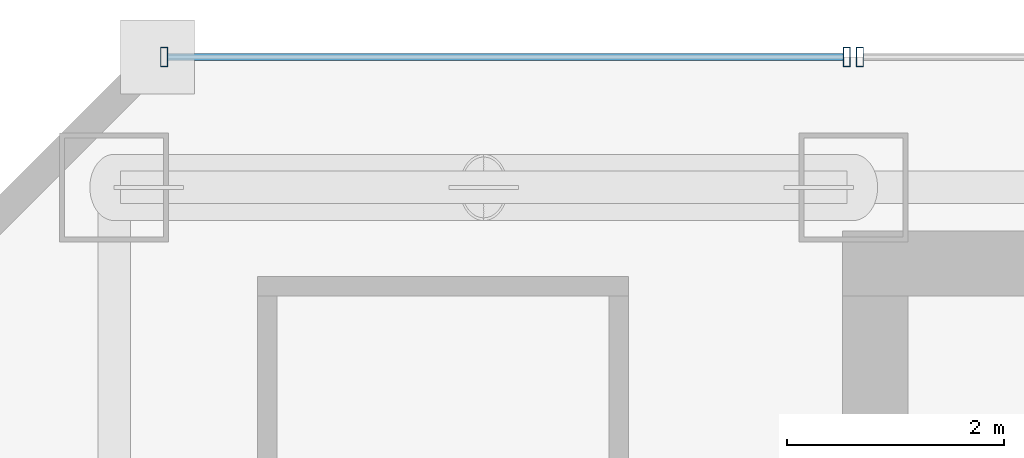
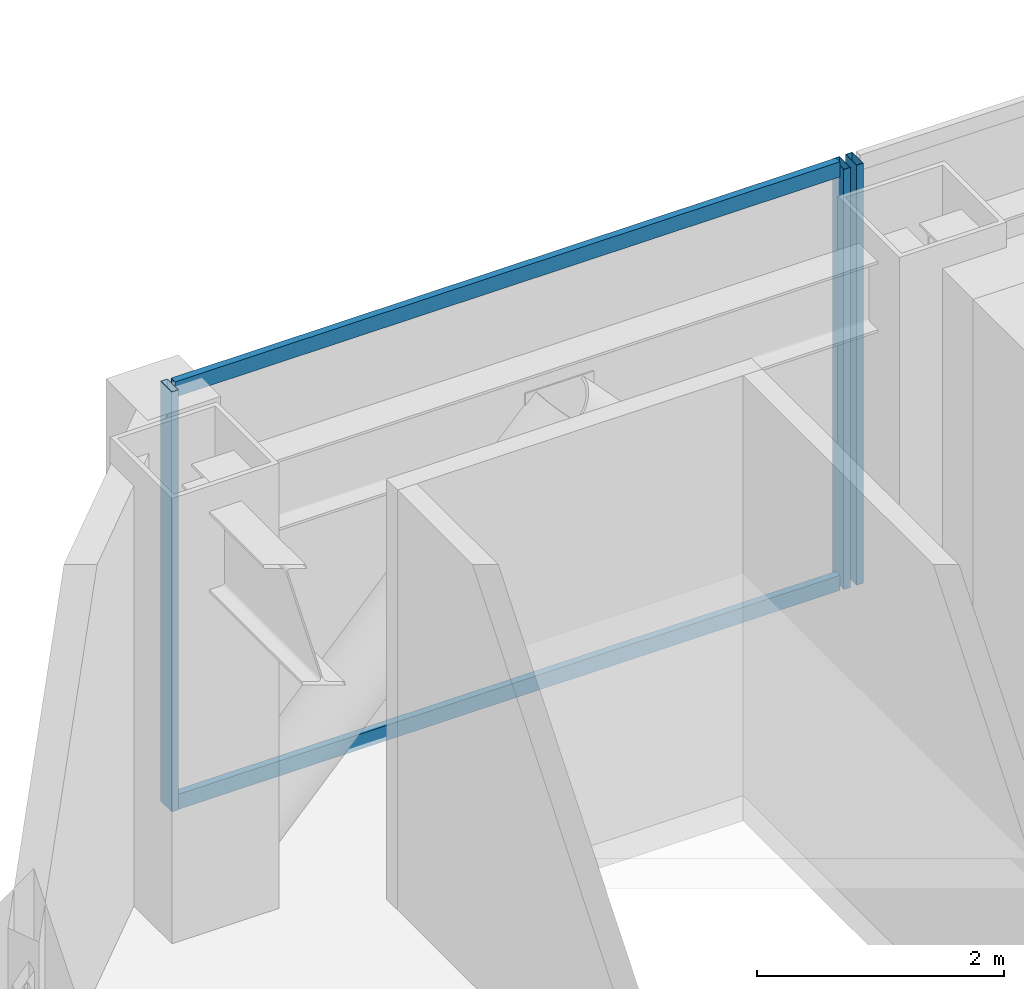
# One storey, part 23 of 37: 5 members, 2 elements without a shape of their own.
"""IFC4 building model written with IfcOpenShell, lengths in metres."""

from ifc_helpers import new_model, si_unit, direction, frame, origin, origin_2d, place, context, subcontext, project, spatial, hollow_rectangle, extrude, material, material_profile, profile_set, type_object, element, aggregate, save


model = new_model("IFC4")

# Units and contexts
model_context = context("Model", 3, precision=1e-05, world=origin(), true_north=direction((0.0, 1.0)))
body_context = subcontext(model_context, "Body", "Model", "MODEL_VIEW")
ifc_project = project(units=[si_unit("LENGTHUNIT", "METRE"), si_unit("AREAUNIT", "SQUARE_METRE"), si_unit("VOLUMEUNIT", "CUBIC_METRE"), si_unit("PLANEANGLEUNIT", "RADIAN"), si_unit("MASSUNIT", "GRAM", prefix="KILO")], contexts=[model_context])

# Site, building, storey
site_placement = place(None, origin())
site = spatial("IfcSite", under=ifc_project, at=site_placement, CompositionType="ELEMENT")
building_placement = place(site_placement, origin())
building = spatial("IfcBuilding", under=site, at=building_placement, Name="Saevonmaru Cultural Tower", CompositionType="ELEMENT")
storey_placement = place(building_placement, frame((0.0, 0.0, 106.0)))
storey = spatial("IfcBuildingStorey", under=building, at=storey_placement, Name="L22", CompositionType="ELEMENT", Elevation=106.0)

# Curtain wall, member
ifc_material = material(Name="Satin Bronze Anodised Aluminium", Category="aluminium")
curtain_wall_type = type_object("IfcCurtainWallType", Name="CW-TYP-A", PredefinedType="NOTDEFINED", material=ifc_material)
curtain_wall_1_placement = place(storey_placement, origin())
curtain_wall_1 = element("IfcCurtainWall", 1, at=curtain_wall_1_placement, inside=storey, type_object=curtain_wall_type, Name="L22 North Spine Unitised Curtain Wall E10B", PredefinedType="NOTDEFINED")
ifc_material_profile_1 = material_profile(ifc_material, hollow_rectangle(XDim=0.06494140625, YDim=0.179931640625, WallThickness=0.00390625, at=origin_2d()), Name="ALU-MULL-180x65x4")
ifc_profile_set_1 = profile_set([ifc_material_profile_1], Name="Satin Bronze Anodised Aluminium")
member_type_1 = type_object("IfcMemberType", Name="ML-CW-180x65", PredefinedType="MULLION", material=ifc_profile_set_1)
member_1_placement = place(storey_placement, frame((13.659912109375, 56.0, 0.0), z_axis=(0.0, 0.0, 1.0), x_axis=(-1.0, 0.0, 0.0)))
member_1 = element("IfcMember", 2, at=member_1_placement, type_object=member_type_1, Name="CW-TW-L22-E10B mullion 4", PredefinedType="MULLION", context=body_context, shape_type="SweptSolid", body=[
    extrude(hollow_rectangle(XDim=0.06494140625, YDim=0.179931640625, WallThickness=0.00390625, at=origin_2d()), origin(), (0.0, 0.0, 1.0), 4.14990234375),
])
aggregate(curtain_wall_1, [member_1])

# Curtain wall, members
curtain_wall_2_placement = place(storey_placement, origin())
curtain_wall_2 = element("IfcCurtainWall", 3, at=curtain_wall_2_placement, inside=storey, type_object=curtain_wall_type, Name="L22 West Braced Bay Spandrel Curtain Wall E10C", PredefinedType="NOTDEFINED")
member_2_placement = place(storey_placement, frame((13.5400390625, 56.0, 0.0), z_axis=(0.0, 0.0, 1.0), x_axis=(-1.0, 0.0, 0.0)))
member_2 = element("IfcMember", 4, at=member_2_placement, type_object=member_type_1, Name="CW-TW-L22-E10C mullion 1", PredefinedType="MULLION", context=body_context, shape_type="SweptSolid", body=[
    extrude(hollow_rectangle(XDim=0.06494140625, YDim=0.179931640625, WallThickness=0.00390625, at=origin_2d()), origin(), (0.0, 0.0, 1.0), 4.14990234375),
])
member_3_placement = place(storey_placement, frame((7.260009765625, 56.0, 0.0), z_axis=(0.0, 0.0, 1.0), x_axis=(-1.0, 0.0, 0.0)))
member_3 = element("IfcMember", 5, at=member_3_placement, type_object=member_type_1, Name="CW-TW-L22-E10C mullion 2", PredefinedType="MULLION", context=body_context, shape_type="SweptSolid", body=[
    extrude(hollow_rectangle(XDim=0.06494140625, YDim=0.179931640625, WallThickness=0.00390625, at=origin_2d()), origin(), (0.0, 0.0, 1.0), 4.14990234375),
])
ifc_material_profile_2 = material_profile(ifc_material, hollow_rectangle(XDim=0.06494140625, YDim=0.14990234375, WallThickness=0.00390625, at=origin_2d()), Name="ALU-TRAN-150x65x4")
ifc_profile_set_2 = profile_set([ifc_material_profile_2], Name="Satin Bronze Anodised Aluminium")
member_type_2 = type_object("IfcMemberType", Name="TR-CW-150x65", PredefinedType="USERDEFINED", material=ifc_profile_set_2)
member_4_placement = place(storey_placement, frame((13.507568359375, 56.0, 0.032470703125), z_axis=(-1.0, 0.0, 0.0), x_axis=(0.0, -1.0, 0.0)))
member_4 = element("IfcMember", 6, at=member_4_placement, type_object=member_type_2, Name="CW-TW-L22-E10C transom 1.1", ObjectType="TRANSOM", PredefinedType="USERDEFINED", context=body_context, shape_type="SweptSolid", body=[
    extrude(hollow_rectangle(XDim=0.06494140625, YDim=0.14990234375, WallThickness=0.00390625, at=origin_2d()), origin(), (0.0, 0.0, 1.0), 6.215087890625),
])
member_5_placement = place(storey_placement, frame((13.507568359375, 56.0, 4.117431640625), z_axis=(-1.0, 0.0, 0.0), x_axis=(0.0, -1.0, 0.0)))
member_5 = element("IfcMember", 7, at=member_5_placement, type_object=member_type_2, Name="CW-TW-L22-E10C transom 1.2", ObjectType="TRANSOM", PredefinedType="USERDEFINED", context=body_context, shape_type="SweptSolid", body=[
    extrude(hollow_rectangle(XDim=0.06494140625, YDim=0.14990234375, WallThickness=0.00390625, at=origin_2d()), origin(), (0.0, 0.0, 1.0), 6.215087890625),
])
aggregate(curtain_wall_2, [member_2, member_3, member_4, member_5])

save(model, "model.ifc")
